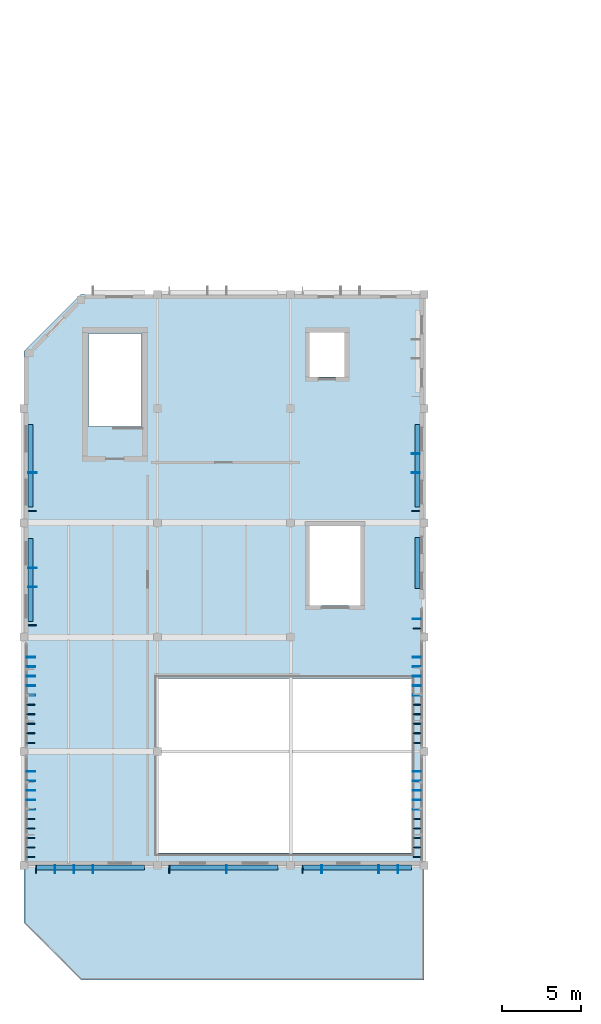
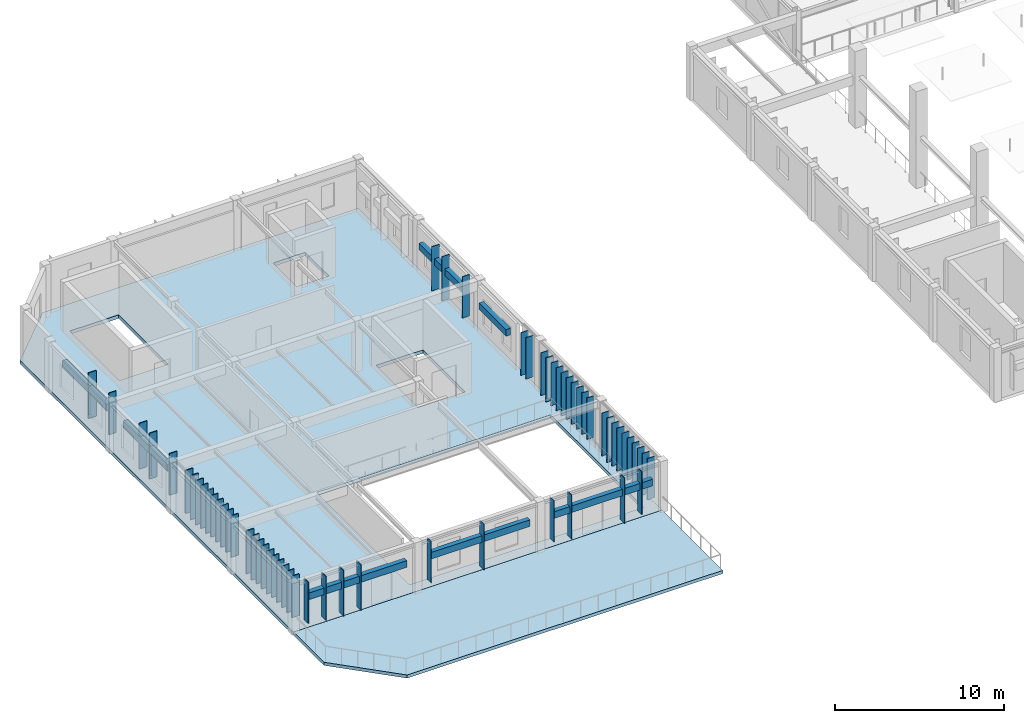
# One storey, part 8 of 44: 67 plates, 2 slabs.
"""IFC4 building model written with IfcOpenShell, lengths in metres."""

from ifc_helpers import new_model, si_unit, direction, frame, origin, origin_2d, place, context, subcontext, project, spatial, polyline, rectangle, outline, extrude, material, layer, layer_set, type_object, element, save


model = new_model("IFC4")

# Units and contexts
model_context = context("Model", 3, precision=1e-05, world=origin(), true_north=direction((0.0, 1.0)))
body_context = subcontext(model_context, "Body", "Model", "MODEL_VIEW")
ifc_project = project(units=[si_unit("LENGTHUNIT", "METRE"), si_unit("AREAUNIT", "SQUARE_METRE"), si_unit("VOLUMEUNIT", "CUBIC_METRE"), si_unit("PLANEANGLEUNIT", "RADIAN"), si_unit("MASSUNIT", "GRAM", prefix="KILO")], contexts=[model_context])

# Site, building, storey
site_placement = place(None, origin())
site = spatial("IfcSite", under=ifc_project, at=site_placement, CompositionType="ELEMENT")
building_placement = place(site_placement, origin())
building = spatial("IfcBuilding", under=site, at=building_placement, Name="Tazoul Stagehouse", CompositionType="ELEMENT")
storey_placement = place(building_placement, frame((0.0, 0.0, 13.199951171875)))
storey = spatial("IfcBuildingStorey", under=building, at=storey_placement, Name="L03", CompositionType="ELEMENT", Elevation=13.199951171875)

# Slab
ifc_material_1 = material(Name="Concrete C35/45", Category="concrete")
ifc_layer_1 = layer(ifc_material_1, 0.22998046875, Name="Concrete C35/45")
ifc_layer_set_1 = layer_set([ifc_layer_1], Name="Concrete C35/45")
slab_type_1 = type_object("IfcSlabType", Name="Belvedere Terrace Slab 230", PredefinedType="FLOOR", material=ifc_layer_set_1)
slab_1_placement = place(storey_placement, frame((0.0, 0.0, -0.22998046875)))
element("IfcSlab", 1, at=slab_1_placement, inside=storey, type_object=slab_type_1, Name="L03 Belvedere Terrace Slab 230 (V6)", PredefinedType="FLOOR", context=body_context, shape_type="SweptSolid", body=[
    extrude(outline(polyline([(6.0, 44.60009765625), (2.39990234375, 48.199951171875), (2.39990234375, 51.7958984375), (27.60009765625, 51.7958984375), (27.60009765625, 44.60009765625), (6.0, 44.60009765625)])), origin(), (0.0, 0.0, 1.0), 0.22998046875),
])

# Plates
ifc_material_2 = material(Name="Anodised Bronze Aluminium 6063-T6", Category="aluminium")
ifc_layer_2 = layer(ifc_material_2, 0.5, Name="Anodised Bronze Aluminium 6063-T6")
ifc_layer_set_2 = layer_set([ifc_layer_2], Name="Anodised Bronze Aluminium 6063-T6")
plate_type_1 = type_object("IfcPlateType", Name="Parametric Terracotta-Bronze Solar Fin 500x3000", PredefinedType="USERDEFINED", material=ifc_layer_set_2)
for number, where, z_axis, x_axis, name in (
    (2, (3.155029296875, 51.590087890625, 0.630126953125), (0.0, 0.0, 1.0), (1.0, 0.0, 0.0), "L03 Parametric Solar Fin SFN-16 (WALL-V6-L03-TER-S1-01)"),
    (3, (11.554931640625, 51.590087890625, 0.630126953125), (0.0, 0.0, 1.0), (1.0, 0.0, 0.0), "L03 Parametric Solar Fin SFN-16 (WALL-V6-L03-TER-S2-01)"),
    (4, (19.955078125, 51.590087890625, 0.630126953125), (0.0, 0.0, 1.0), (1.0, 0.0, 0.0), "L03 Parametric Solar Fin SFN-16 (WALL-V6-L03-TER-S3-01)"),
    (5, (2.840087890625, 52.340087890625, 0.650146484375), (0.0, 0.0, 1.0), (0.0, 1.0, 0.0), "L03 Parametric Solar Fin SFN-16 (CW-V6-W1-L03-B1-01)"),
    (6, (2.840087890625, 52.93994140625, 0.650146484375), (0.0, 0.0, 1.0), (0.0, 1.0, 0.0), "L03 Parametric Solar Fin SFN-16 (CW-V6-W1-L03-B1-02)"),
    (7, (2.840087890625, 53.5400390625, 0.650146484375), (0.0, 0.0, 1.0), (0.0, 1.0, 0.0), "L03 Parametric Solar Fin SFN-16 (CW-V6-W1-L03-B1-03)"),
    (8, (2.840087890625, 54.139892578125, 0.650146484375), (0.0, 0.0, 1.0), (0.0, 1.0, 0.0), "L03 Parametric Solar Fin SFN-16 (CW-V6-W1-L03-B1-04)"),
    (9, (2.840087890625, 54.739990234375, 0.650146484375), (0.0, 0.0, 1.0), (0.0, 1.0, 0.0), "L03 Parametric Solar Fin SFN-16 (CW-V6-W1-L03-B1-05)"),
    (10, (2.840087890625, 59.5400390625, 0.650146484375), (0.0, 0.0, 1.0), (0.0, 1.0, 0.0), "L03 Parametric Solar Fin SFN-16 (CW-V6-W1-L03-B2-01)"),
    (11, (2.840087890625, 60.139892578125, 0.650146484375), (0.0, 0.0, 1.0), (0.0, 1.0, 0.0), "L03 Parametric Solar Fin SFN-16 (CW-V6-W1-L03-B2-02)"),
    (12, (2.840087890625, 60.739990234375, 0.650146484375), (0.0, 0.0, 1.0), (0.0, 1.0, 0.0), "L03 Parametric Solar Fin SFN-16 (CW-V6-W1-L03-B2-03)"),
    (13, (2.840087890625, 61.340087890625, 0.650146484375), (0.0, 0.0, 1.0), (0.0, 1.0, 0.0), "L03 Parametric Solar Fin SFN-16 (CW-V6-W1-L03-B2-04)"),
    (14, (2.840087890625, 61.93994140625, 0.650146484375), (0.0, 0.0, 1.0), (0.0, 1.0, 0.0), "L03 Parametric Solar Fin SFN-16 (CW-V6-W1-L03-B2-05)"),
    (15, (2.909912109375, 66.955078125, 0.630126953125), (0.0, 0.0, 1.0), (0.0, 1.0, 0.0), "L03 Parametric Solar Fin SFN-16 (WALL-V6-W2-L03-S1-01)"),
    (16, (2.909912109375, 74.155029296875, 0.630126953125), (0.0, 0.0, 1.0), (0.0, 1.0, 0.0), "L03 Parametric Solar Fin SFN-16 (WALL-V6-W2-L03-S2-01)"),
    (17, (27.159912109375, 52.340087890625, 0.650146484375), (0.0, 0.0, 1.0), (0.0, 1.0, 0.0), "L03 Parametric Solar Fin SFN-16 (CW-V6-E1-L03-B1-01)"),
    (18, (27.159912109375, 52.93994140625, 0.650146484375), (0.0, 0.0, 1.0), (0.0, 1.0, 0.0), "L03 Parametric Solar Fin SFN-16 (CW-V6-E1-L03-B1-02)"),
    (19, (27.159912109375, 53.5400390625, 0.650146484375), (0.0, 0.0, 1.0), (0.0, 1.0, 0.0), "L03 Parametric Solar Fin SFN-16 (CW-V6-E1-L03-B1-03)"),
    (20, (27.159912109375, 54.139892578125, 0.650146484375), (0.0, 0.0, 1.0), (0.0, 1.0, 0.0), "L03 Parametric Solar Fin SFN-16 (CW-V6-E1-L03-B1-04)"),
    (21, (27.159912109375, 54.739990234375, 0.650146484375), (0.0, 0.0, 1.0), (0.0, 1.0, 0.0), "L03 Parametric Solar Fin SFN-16 (CW-V6-E1-L03-B1-05)"),
    (22, (27.159912109375, 59.5400390625, 0.650146484375), (0.0, 0.0, 1.0), (0.0, 1.0, 0.0), "L03 Parametric Solar Fin SFN-16 (CW-V6-E1-L03-B2-01)"),
    (23, (27.159912109375, 60.139892578125, 0.650146484375), (0.0, 0.0, 1.0), (0.0, 1.0, 0.0), "L03 Parametric Solar Fin SFN-16 (CW-V6-E1-L03-B2-02)"),
    (24, (27.159912109375, 60.739990234375, 0.650146484375), (0.0, 0.0, 1.0), (0.0, 1.0, 0.0), "L03 Parametric Solar Fin SFN-16 (CW-V6-E1-L03-B2-03)"),
    (25, (27.159912109375, 61.340087890625, 0.650146484375), (0.0, 0.0, 1.0), (0.0, 1.0, 0.0), "L03 Parametric Solar Fin SFN-16 (CW-V6-E1-L03-B2-04)"),
    (26, (27.159912109375, 61.93994140625, 0.650146484375), (0.0, 0.0, 1.0), (0.0, 1.0, 0.0), "L03 Parametric Solar Fin SFN-16 (CW-V6-E1-L03-B2-05)"),
    (27, (27.159912109375, 66.739990234375, 0.650146484375), (0.0, 0.0, 1.0), (0.0, 1.0, 0.0), "L03 Parametric Solar Fin SFN-16 (CW-V6-E1-L03-B3-01)"),
    (28, (27.090087890625, 74.155029296875, 0.580078125), (0.0, 0.0, 1.0), (0.0, 1.0, 0.0), "L03 Parametric Solar Fin SFN-16 (WALL-V6-E2-L03-S2-01)"),
):
    element("IfcPlate", number, at=place(storey_placement, frame(where, z_axis=z_axis, x_axis=x_axis)), inside=storey, type_object=plate_type_1, Name=name, ObjectType="SOLAR FIN", PredefinedType="USERDEFINED", context=body_context, shape_type="SweptSolid", body=[
        extrude(rectangle(XDim=0.044921875, YDim=0.5, at=origin_2d()), origin(), (0.0, 0.0, 1.0), 3.0),
    ])
ifc_layer_3 = layer(ifc_material_2, 0.510009765625, Name="Anodised Bronze Aluminium 6063-T6")
ifc_layer_set_3 = layer_set([ifc_layer_3], Name="Anodised Bronze Aluminium 6063-T6")
plate_type_2 = type_object("IfcPlateType", Name="Parametric Terracotta-Bronze Solar Fin 510x3100", PredefinedType="USERDEFINED", material=ifc_layer_set_3)
for number, where, z_axis, x_axis, name in (
    (29, (25.955078125, 51.5849609375, 0.530029296875), (0.0, 0.0, 1.0), (1.0, 0.0, 0.0), "L03 Parametric Solar Fin SFN-17 (WALL-V6-L03-TER-S3-06)"),
    (30, (2.844970703125, 55.340087890625, 0.550048828125), (0.0, 0.0, 1.0), (0.0, 1.0, 0.0), "L03 Parametric Solar Fin SFN-17 (CW-V6-W1-L03-B1-06)"),
    (31, (2.844970703125, 55.93994140625, 0.550048828125), (0.0, 0.0, 1.0), (0.0, 1.0, 0.0), "L03 Parametric Solar Fin SFN-17 (CW-V6-W1-L03-B1-07)"),
    (32, (2.844970703125, 56.5400390625, 0.550048828125), (0.0, 0.0, 1.0), (0.0, 1.0, 0.0), "L03 Parametric Solar Fin SFN-17 (CW-V6-W1-L03-B1-08)"),
    (33, (2.844970703125, 57.739990234375, 0.550048828125), (0.0, 0.0, 1.0), (0.0, 1.0, 0.0), "L03 Parametric Solar Fin SFN-17 (CW-V6-W1-L03-B1-10)"),
    (34, (2.844970703125, 62.5400390625, 0.550048828125), (0.0, 0.0, 1.0), (0.0, 1.0, 0.0), "L03 Parametric Solar Fin SFN-17 (CW-V6-W1-L03-B2-06)"),
    (35, (2.844970703125, 63.139892578125, 0.550048828125), (0.0, 0.0, 1.0), (0.0, 1.0, 0.0), "L03 Parametric Solar Fin SFN-17 (CW-V6-W1-L03-B2-07)"),
    (36, (2.844970703125, 64.93994140625, 0.550048828125), (0.0, 0.0, 1.0), (0.0, 1.0, 0.0), "L03 Parametric Solar Fin SFN-17 (CW-V6-W1-L03-B2-10)"),
    (37, (27.155029296875, 55.340087890625, 0.550048828125), (0.0, 0.0, 1.0), (0.0, 1.0, 0.0), "L03 Parametric Solar Fin SFN-17 (CW-V6-E1-L03-B1-06)"),
    (38, (27.155029296875, 55.93994140625, 0.550048828125), (0.0, 0.0, 1.0), (0.0, 1.0, 0.0), "L03 Parametric Solar Fin SFN-17 (CW-V6-E1-L03-B1-07)"),
    (39, (27.155029296875, 56.5400390625, 0.550048828125), (0.0, 0.0, 1.0), (0.0, 1.0, 0.0), "L03 Parametric Solar Fin SFN-17 (CW-V6-E1-L03-B1-08)"),
    (40, (27.155029296875, 57.739990234375, 0.550048828125), (0.0, 0.0, 1.0), (0.0, 1.0, 0.0), "L03 Parametric Solar Fin SFN-17 (CW-V6-E1-L03-B1-10)"),
    (41, (27.155029296875, 62.5400390625, 0.550048828125), (0.0, 0.0, 1.0), (0.0, 1.0, 0.0), "L03 Parametric Solar Fin SFN-17 (CW-V6-E1-L03-B2-06)"),
    (42, (27.155029296875, 63.139892578125, 0.550048828125), (0.0, 0.0, 1.0), (0.0, 1.0, 0.0), "L03 Parametric Solar Fin SFN-17 (CW-V6-E1-L03-B2-07)"),
    (43, (27.155029296875, 63.739990234375, 0.550048828125), (0.0, 0.0, 1.0), (0.0, 1.0, 0.0), "L03 Parametric Solar Fin SFN-17 (CW-V6-E1-L03-B2-08)"),
    (44, (27.155029296875, 64.93994140625, 0.550048828125), (0.0, 0.0, 1.0), (0.0, 1.0, 0.0), "L03 Parametric Solar Fin SFN-17 (CW-V6-E1-L03-B2-10)"),
    (45, (27.155029296875, 67.340087890625, 0.550048828125), (0.0, 0.0, 1.0), (0.0, 1.0, 0.0), "L03 Parametric Solar Fin SFN-17 (CW-V6-E1-L03-B3-02)"),
):
    element("IfcPlate", number, at=place(storey_placement, frame(where, z_axis=z_axis, x_axis=x_axis)), inside=storey, type_object=plate_type_2, Name=name, ObjectType="SOLAR FIN", PredefinedType="USERDEFINED", context=body_context, shape_type="SweptSolid", body=[
        extrude(rectangle(XDim=0.044921875, YDim=0.510009765625, at=origin_2d()), origin(), (0.0, 0.0, 1.0), 3.10009765625),
    ])
ifc_layer_4 = layer(ifc_material_2, 0.52001953125, Name="Anodised Bronze Aluminium 6063-T6")
ifc_layer_set_4 = layer_set([ifc_layer_4], Name="Anodised Bronze Aluminium 6063-T6")
plate_type_3 = type_object("IfcPlateType", Name="Parametric Terracotta-Bronze Solar Fin 520x3200", PredefinedType="USERDEFINED", material=ifc_layer_set_4)
for number, where, z_axis, x_axis, name in (
    (46, (4.35498046875, 51.580078125, 0.43017578125), (0.0, 0.0, 1.0), (1.0, 0.0, 0.0), "L03 Parametric Solar Fin SFN-18 (WALL-V6-L03-TER-S1-02)"),
    (47, (21.155029296875, 51.580078125, 0.43017578125), (0.0, 0.0, 1.0), (1.0, 0.0, 0.0), "L03 Parametric Solar Fin SFN-18 (WALL-V6-L03-TER-S3-02)"),
    (48, (2.85009765625, 57.139892578125, 0.4501953125), (0.0, 0.0, 1.0), (0.0, 1.0, 0.0), "L03 Parametric Solar Fin SFN-18 (CW-V6-W1-L03-B1-09)"),
    (49, (2.85009765625, 63.739990234375, 0.4501953125), (0.0, 0.0, 1.0), (0.0, 1.0, 0.0), "L03 Parametric Solar Fin SFN-18 (CW-V6-W1-L03-B2-08)"),
    (50, (2.85009765625, 64.340087890625, 0.4501953125), (0.0, 0.0, 1.0), (0.0, 1.0, 0.0), "L03 Parametric Solar Fin SFN-18 (CW-V6-W1-L03-B2-09)"),
    (51, (27.14990234375, 57.139892578125, 0.4501953125), (0.0, 0.0, 1.0), (0.0, 1.0, 0.0), "L03 Parametric Solar Fin SFN-18 (CW-V6-E1-L03-B1-09)"),
    (52, (27.14990234375, 64.340087890625, 0.4501953125), (0.0, 0.0, 1.0), (0.0, 1.0, 0.0), "L03 Parametric Solar Fin SFN-18 (CW-V6-E1-L03-B2-09)"),
    (53, (27.080078125, 76.554931640625, 0.3798828125), (0.0, 0.0, 1.0), (0.0, 1.0, 0.0), "L03 Parametric Solar Fin SFN-18 (WALL-V6-E2-L03-S2-03)"),
    (54, (27.080078125, 77.7548828125, 0.3798828125), (0.0, 0.0, 1.0), (0.0, 1.0, 0.0), "L03 Parametric Solar Fin SFN-18 (WALL-V6-E2-L03-S2-04)"),
):
    element("IfcPlate", number, at=place(storey_placement, frame(where, z_axis=z_axis, x_axis=x_axis)), inside=storey, type_object=plate_type_3, Name=name, ObjectType="SOLAR FIN", PredefinedType="USERDEFINED", context=body_context, shape_type="SweptSolid", body=[
        extrude(rectangle(XDim=0.044921875, YDim=0.52001953125, at=origin_2d()), origin(), (0.0, 0.0, 1.0), 3.199951171875),
    ])
ifc_layer_5 = layer(ifc_material_2, 0.530029296875, Name="Anodised Bronze Aluminium 6063-T6")
ifc_layer_set_5 = layer_set([ifc_layer_5], Name="Anodised Bronze Aluminium 6063-T6")
plate_type_4 = type_object("IfcPlateType", Name="Parametric Terracotta-Bronze Solar Fin 530x3300", PredefinedType="USERDEFINED", material=ifc_layer_set_5)
for number, where, z_axis, x_axis, name in (
    (55, (5.554931640625, 51.574951171875, 0.330078125), (0.0, 0.0, 1.0), (1.0, 0.0, 0.0), "L03 Parametric Solar Fin SFN-19 (WALL-V6-L03-TER-S1-03)"),
    (56, (6.7548828125, 51.574951171875, 0.330078125), (0.0, 0.0, 1.0), (1.0, 0.0, 0.0), "L03 Parametric Solar Fin SFN-19 (WALL-V6-L03-TER-S1-04)"),
    (57, (15.155029296875, 51.574951171875, 0.330078125), (0.0, 0.0, 1.0), (1.0, 0.0, 0.0), "L03 Parametric Solar Fin SFN-19 (WALL-V6-L03-TER-S2-04)"),
    (58, (24.7548828125, 51.574951171875, 0.330078125), (0.0, 0.0, 1.0), (1.0, 0.0, 0.0), "L03 Parametric Solar Fin SFN-19 (WALL-V6-L03-TER-S3-05)"),
    (59, (2.925048828125, 69.35498046875, 0.330078125), (0.0, 0.0, 1.0), (0.0, 1.0, 0.0), "L03 Parametric Solar Fin SFN-19 (WALL-V6-W2-L03-S1-03)"),
    (60, (2.925048828125, 70.554931640625, 0.330078125), (0.0, 0.0, 1.0), (0.0, 1.0, 0.0), "L03 Parametric Solar Fin SFN-19 (WALL-V6-W2-L03-S1-04)"),
    (61, (2.925048828125, 76.554931640625, 0.330078125), (0.0, 0.0, 1.0), (0.0, 1.0, 0.0), "L03 Parametric Solar Fin SFN-19 (WALL-V6-W2-L03-S2-03)"),
):
    element("IfcPlate", number, at=place(storey_placement, frame(where, z_axis=z_axis, x_axis=x_axis)), inside=storey, type_object=plate_type_4, Name=name, ObjectType="SOLAR FIN", PredefinedType="USERDEFINED", context=body_context, shape_type="SweptSolid", body=[
        extrude(rectangle(XDim=0.044921875, YDim=0.530029296875, at=origin_2d()), origin(), (0.0, 0.0, 1.0), 3.300048828125),
    ])
ifc_layer_6 = layer(ifc_material_2, 0.320068359375, Name="Anodised Bronze Aluminium 6063-T6")
ifc_layer_set_6 = layer_set([ifc_layer_6], Name="Anodised Bronze Aluminium 6063-T6")
plate_type_5 = type_object("IfcPlateType", Name="Sculpted Facade Spandrel Ribbon 3200x480", PredefinedType="USERDEFINED", material=ifc_layer_set_6)
plate_placement = place(storey_placement, frame((27.179931640625, 70.87255859375, 2.1650390625), z_axis=(0.0, 0.0, 1.0), x_axis=(0.0, 1.0, 0.0)))
element("IfcPlate", 62, at=plate_placement, inside=storey, type_object=plate_type_5, Name="L03 Sculpted Facade Spandrel Ribbon FRB-04 (WALL-V6-E2-L03-S1)", ObjectType="FACADE RIBBON", PredefinedType="USERDEFINED", context=body_context, shape_type="SweptSolid", body=[
    extrude(rectangle(XDim=3.199951171875, YDim=0.320068359375, at=origin_2d()), origin(), (0.0, 0.0, 1.0), 0.47998046875),
])
ifc_layer_7 = layer(ifc_material_2, 0.320068359375, Name="Anodised Bronze Aluminium 6063-T6")
ifc_layer_set_7 = layer_set([ifc_layer_7], Name="Anodised Bronze Aluminium 6063-T6")
plate_type_6 = type_object("IfcPlateType", Name="Sculpted Facade Spandrel Ribbon 5200x480", PredefinedType="USERDEFINED", material=ifc_layer_set_7)
for number, where, z_axis, x_axis, name in (
    (63, (2.820068359375, 69.800048828125, 2.197509765625), (0.0, 0.0, 1.0), (0.0, 1.0, 0.0), "L03 Sculpted Facade Spandrel Ribbon FRB-07 (WALL-V6-W2-L03-S1)"),
    (64, (2.820068359375, 77.0, 2.197509765625), (0.0, 0.0, 1.0), (0.0, 1.0, 0.0), "L03 Sculpted Facade Spandrel Ribbon FRB-07 (WALL-V6-W2-L03-S2)"),
    (65, (27.179931640625, 77.0, 2.1650390625), (0.0, 0.0, 1.0), (0.0, 1.0, 0.0), "L03 Sculpted Facade Spandrel Ribbon FRB-07 (WALL-V6-E2-L03-S2)"),
):
    element("IfcPlate", number, at=place(storey_placement, frame(where, z_axis=z_axis, x_axis=x_axis)), inside=storey, type_object=plate_type_6, Name=name, ObjectType="FACADE RIBBON", PredefinedType="USERDEFINED", context=body_context, shape_type="SweptSolid", body=[
        extrude(rectangle(XDim=5.199951171875, YDim=0.320068359375, at=origin_2d()), origin(), (0.0, 0.0, 1.0), 0.47998046875),
    ])
ifc_layer_8 = layer(ifc_material_2, 0.320068359375, Name="Anodised Bronze Aluminium 6063-T6")
ifc_layer_set_8 = layer_set([ifc_layer_8], Name="Anodised Bronze Aluminium 6063-T6")
plate_type_7 = type_object("IfcPlateType", Name="Sculpted Facade Spandrel Ribbon 6800x480", PredefinedType="USERDEFINED", material=ifc_layer_set_8)
for number, where, z_axis, x_axis, name in (
    (66, (6.60009765625, 51.679931640625, 2.197509765625), (0.0, 0.0, 1.0), (1.0, 0.0, 0.0), "L03 Sculpted Facade Spandrel Ribbon FRB-10 (WALL-V6-L03-TER-S1)"),
    (67, (15.0, 51.679931640625, 2.197509765625), (0.0, 0.0, 1.0), (1.0, 0.0, 0.0), "L03 Sculpted Facade Spandrel Ribbon FRB-10 (WALL-V6-L03-TER-S2)"),
    (68, (23.39990234375, 51.679931640625, 2.197509765625), (0.0, 0.0, 1.0), (1.0, 0.0, 0.0), "L03 Sculpted Facade Spandrel Ribbon FRB-10 (WALL-V6-L03-TER-S3)"),
):
    element("IfcPlate", number, at=place(storey_placement, frame(where, z_axis=z_axis, x_axis=x_axis)), inside=storey, type_object=plate_type_7, Name=name, ObjectType="FACADE RIBBON", PredefinedType="USERDEFINED", context=body_context, shape_type="SweptSolid", body=[
        extrude(rectangle(XDim=6.800048828125, YDim=0.320068359375, at=origin_2d()), origin(), (0.0, 0.0, 1.0), 0.47998046875),
    ])

# Slab
ifc_layer_9 = layer(ifc_material_1, 0.25, Name="Concrete C35/45")
ifc_layer_set_9 = layer_set([ifc_layer_9], Name="Concrete C35/45")
slab_type_2 = type_object("IfcSlabType", Name="Upper Gallery Slab 250", PredefinedType="FLOOR", material=ifc_layer_set_9)
slab_2_placement = place(storey_placement, frame((0.0, 0.0, -0.25)))
element("IfcSlab", 69, at=slab_2_placement, inside=storey, type_object=slab_type_2, Name="L03 Upper Gallery Slab 250 (V6)", PredefinedType="FLOOR", context=body_context, shape_type="SweptSolid", body=[
    extrude(outline(polyline([(2.39990234375, 51.800048828125), (2.39990234375, 84.199951171875), (6.0, 87.800048828125), (27.60009765625, 87.800048828125), (27.60009765625, 51.800048828125), (2.39990234375, 51.800048828125)]), holes=[polyline([(10.800048828125, 63.60009765625), (26.800048828125, 63.60009765625), (26.800048828125, 52.60009765625), (10.800048828125, 52.60009765625), (10.800048828125, 63.60009765625)]), polyline([(20.39990234375, 68.199951171875), (20.39990234375, 73.199951171875), (23.60009765625, 73.199951171875), (23.60009765625, 68.199951171875), (20.39990234375, 68.199951171875)]), polyline([(9.7900390625, 79.4599609375), (6.4599609375, 79.4599609375), (6.4599609375, 85.340087890625), (9.7900390625, 85.340087890625), (9.7900390625, 79.4599609375)]), polyline([(20.39990234375, 82.60009765625), (20.39990234375, 85.39990234375), (22.60009765625, 85.39990234375), (22.60009765625, 82.60009765625), (20.39990234375, 82.60009765625)])]), origin(), (0.0, 0.0, 1.0), 0.25),
])

save(model, "model.ifc")
